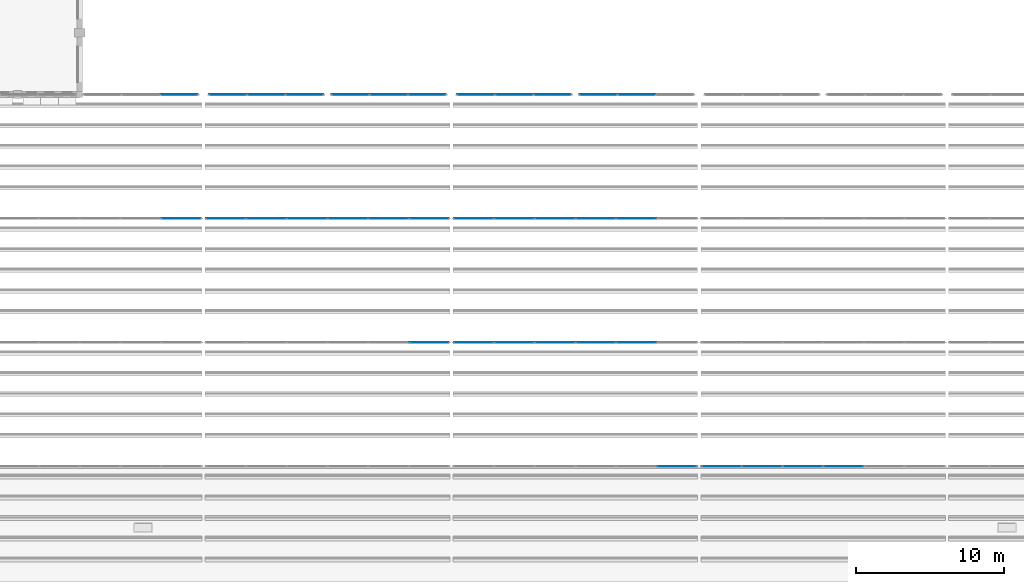
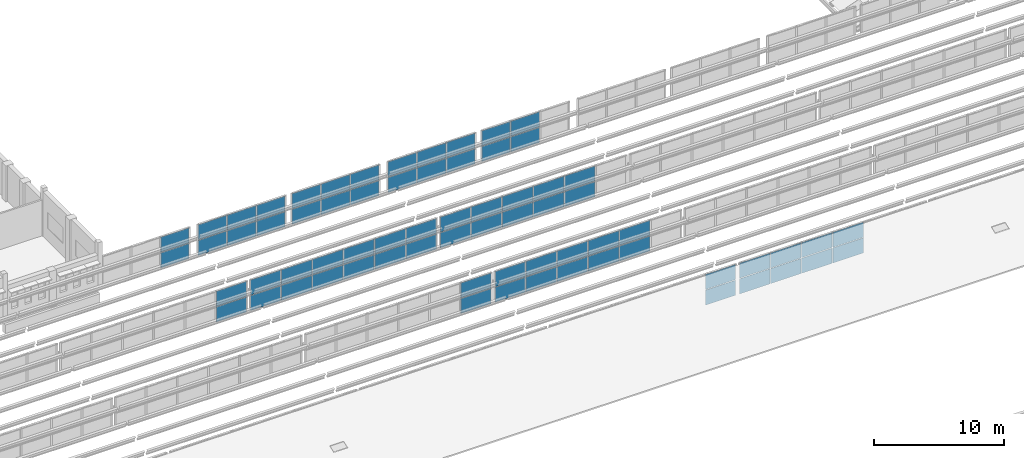
# One storey, part 82 of 116: 70 plates, 12 elements without a shape of their own.
"""IFC4 building model written with IfcOpenShell, lengths in metres."""

from ifc_helpers import new_model, si_unit, direction, frame, origin, origin_2d, place, context, subcontext, project, spatial, rectangle, extrude, material, layer, layer_set, type_object, element, aggregate, save


model = new_model("IFC4")

# Units and contexts
model_context = context("Model", 3, precision=1e-05, world=origin(), true_north=direction((0.0, 1.0)))
body_context = subcontext(model_context, "Body", "Model", "MODEL_VIEW")
ifc_project = project(units=[si_unit("LENGTHUNIT", "METRE"), si_unit("AREAUNIT", "SQUARE_METRE"), si_unit("VOLUMEUNIT", "CUBIC_METRE"), si_unit("PLANEANGLEUNIT", "RADIAN"), si_unit("MASSUNIT", "GRAM", prefix="KILO")], contexts=[model_context])

# Site, building, storey
site_placement = place(None, origin())
site = spatial("IfcSite", under=ifc_project, at=site_placement, CompositionType="ELEMENT")
building_placement = place(site_placement, origin())
building = spatial("IfcBuilding", under=site, at=building_placement, Name="Fescue Hill Polytechnic", CompositionType="ELEMENT")
storey_placement = place(building_placement, frame((0.0, 0.0, 13.5)))
storey = spatial("IfcBuildingStorey", under=building, at=storey_placement, Name="L03", CompositionType="ELEMENT", Elevation=13.5)

# Curtain wall, plates
ifc_material_1 = material(Name="Aluminium and glass", Category="aluminium")
curtain_wall_type = type_object("IfcCurtainWallType", Name="Sawtooth north glazing curtain wall", PredefinedType="NOTDEFINED", material=ifc_material_1)
curtain_wall_1_placement = place(storey_placement, origin())
curtain_wall_1 = element("IfcCurtainWall", 1, at=curtain_wall_1_placement, inside=storey, type_object=curtain_wall_type, Name="Sawtooth 1 north glazing bay 4", PredefinedType="NOTDEFINED")
ifc_material_2 = material(Name="Glass", Category="glass")
ifc_layer = layer(ifc_material_2, 0.028076171875)
ifc_layer_set = layer_set([ifc_layer], Name="Glass")
plate_type = type_object("IfcPlateType", Name="Curtain wall glazing panel 28", PredefinedType="CURTAIN_PANEL", material=ifc_layer_set)
plate_1_placement = place(storey_placement, frame((65.68505859375, 25.199951171875, 0.06005859375), z_axis=(0.0, 0.0, 1.0), x_axis=(1.0, 0.0, 0.0)))
plate_1 = element("IfcPlate", 2, at=plate_1_placement, type_object=plate_type, Name="CW4 panel 6.1", PredefinedType="CURTAIN_PANEL", context=body_context, shape_type="SweptSolid", body=[
    extrude(rectangle(XDim=2.669921875, YDim=0.028076171875, at=origin_2d()), origin(), (0.0, 0.0, 1.0), 1.409912109375),
])
plate_2_placement = place(storey_placement, frame((65.68505859375, 25.199951171875, 1.5302734375), z_axis=(0.0, 0.0, 1.0), x_axis=(1.0, 0.0, 0.0)))
plate_2 = element("IfcPlate", 3, at=plate_2_placement, type_object=plate_type, Name="CW4 panel 6.2", PredefinedType="CURTAIN_PANEL", context=body_context, shape_type="SweptSolid", body=[
    extrude(rectangle(XDim=2.669921875, YDim=0.028076171875, at=origin_2d()), origin(), (0.0, 0.0, 1.0), 1.409912109375),
])
aggregate(curtain_wall_1, [plate_1, plate_2])

curtain_wall_2_placement = place(storey_placement, origin())
curtain_wall_2 = element("IfcCurtainWall", 4, at=curtain_wall_2_placement, inside=storey, type_object=curtain_wall_type, Name="Sawtooth 1 north glazing bay 5", PredefinedType="NOTDEFINED")
plate_3_placement = place(storey_placement, frame((68.715087890625, 25.199951171875, 0.06005859375), z_axis=(0.0, 0.0, 1.0), x_axis=(1.0, 0.0, 0.0)))
plate_3 = element("IfcPlate", 5, at=plate_3_placement, type_object=plate_type, Name="CW5 panel 1.1", PredefinedType="CURTAIN_PANEL", context=body_context, shape_type="SweptSolid", body=[
    extrude(rectangle(XDim=2.669921875, YDim=0.028076171875, at=origin_2d()), origin(), (0.0, 0.0, 1.0), 1.409912109375),
])
plate_4_placement = place(storey_placement, frame((68.715087890625, 25.199951171875, 1.5302734375), z_axis=(0.0, 0.0, 1.0), x_axis=(1.0, 0.0, 0.0)))
plate_4 = element("IfcPlate", 6, at=plate_4_placement, type_object=plate_type, Name="CW5 panel 1.2", PredefinedType="CURTAIN_PANEL", context=body_context, shape_type="SweptSolid", body=[
    extrude(rectangle(XDim=2.669921875, YDim=0.028076171875, at=origin_2d()), origin(), (0.0, 0.0, 1.0), 1.409912109375),
])
plate_5_placement = place(storey_placement, frame((71.4599609375, 25.199951171875, 0.06005859375), z_axis=(0.0, 0.0, 1.0), x_axis=(1.0, 0.0, 0.0)))
plate_5 = element("IfcPlate", 7, at=plate_5_placement, type_object=plate_type, Name="CW5 panel 2.1", PredefinedType="CURTAIN_PANEL", context=body_context, shape_type="SweptSolid", body=[
    extrude(rectangle(XDim=2.699951171875, YDim=0.028076171875, at=origin_2d()), origin(), (0.0, 0.0, 1.0), 1.409912109375),
])
plate_6_placement = place(storey_placement, frame((71.4599609375, 25.199951171875, 1.5302734375), z_axis=(0.0, 0.0, 1.0), x_axis=(1.0, 0.0, 0.0)))
plate_6 = element("IfcPlate", 8, at=plate_6_placement, type_object=plate_type, Name="CW5 panel 2.2", PredefinedType="CURTAIN_PANEL", context=body_context, shape_type="SweptSolid", body=[
    extrude(rectangle(XDim=2.699951171875, YDim=0.028076171875, at=origin_2d()), origin(), (0.0, 0.0, 1.0), 1.409912109375),
])
plate_7_placement = place(storey_placement, frame((74.219970703125, 25.199951171875, 0.06005859375), z_axis=(0.0, 0.0, 1.0), x_axis=(1.0, 0.0, 0.0)))
plate_7 = element("IfcPlate", 9, at=plate_7_placement, type_object=plate_type, Name="CW5 panel 3.1", PredefinedType="CURTAIN_PANEL", context=body_context, shape_type="SweptSolid", body=[
    extrude(rectangle(XDim=2.699951171875, YDim=0.028076171875, at=origin_2d()), origin(), (0.0, 0.0, 1.0), 1.409912109375),
])
plate_8_placement = place(storey_placement, frame((74.219970703125, 25.199951171875, 1.5302734375), z_axis=(0.0, 0.0, 1.0), x_axis=(1.0, 0.0, 0.0)))
plate_8 = element("IfcPlate", 10, at=plate_8_placement, type_object=plate_type, Name="CW5 panel 3.2", PredefinedType="CURTAIN_PANEL", context=body_context, shape_type="SweptSolid", body=[
    extrude(rectangle(XDim=2.699951171875, YDim=0.028076171875, at=origin_2d()), origin(), (0.0, 0.0, 1.0), 1.409912109375),
])
plate_9_placement = place(storey_placement, frame((76.97998046875, 25.199951171875, 0.06005859375), z_axis=(0.0, 0.0, 1.0), x_axis=(1.0, 0.0, 0.0)))
plate_9 = element("IfcPlate", 11, at=plate_9_placement, type_object=plate_type, Name="CW5 panel 4.1", PredefinedType="CURTAIN_PANEL", context=body_context, shape_type="SweptSolid", body=[
    extrude(rectangle(XDim=2.699951171875, YDim=0.028076171875, at=origin_2d()), origin(), (0.0, 0.0, 1.0), 1.409912109375),
])
plate_10_placement = place(storey_placement, frame((76.97998046875, 25.199951171875, 1.5302734375), z_axis=(0.0, 0.0, 1.0), x_axis=(1.0, 0.0, 0.0)))
plate_10 = element("IfcPlate", 12, at=plate_10_placement, type_object=plate_type, Name="CW5 panel 4.2", PredefinedType="CURTAIN_PANEL", context=body_context, shape_type="SweptSolid", body=[
    extrude(rectangle(XDim=2.699951171875, YDim=0.028076171875, at=origin_2d()), origin(), (0.0, 0.0, 1.0), 1.409912109375),
])
aggregate(curtain_wall_2, [plate_3, plate_4, plate_5, plate_6, plate_7, plate_8, plate_9, plate_10])

curtain_wall_3_placement = place(storey_placement, origin())
curtain_wall_3 = element("IfcCurtainWall", 13, at=curtain_wall_3_placement, inside=storey, type_object=curtain_wall_type, Name="Sawtooth 2 north glazing bay 3", PredefinedType="NOTDEFINED")
plate_11_placement = place(storey_placement, frame((48.885009765625, 33.60009765625, 0.06005859375), z_axis=(0.0, 0.0, 1.0), x_axis=(1.0, 0.0, 0.0)))
plate_11 = element("IfcPlate", 14, at=plate_11_placement, type_object=plate_type, Name="CW10 panel 6.1", PredefinedType="CURTAIN_PANEL", context=body_context, shape_type="SweptSolid", body=[
    extrude(rectangle(XDim=2.669921875, YDim=0.028076171875, at=origin_2d()), origin(), (0.0, 0.0, 1.0), 1.409912109375),
])
plate_12_placement = place(storey_placement, frame((48.885009765625, 33.60009765625, 1.5302734375), z_axis=(0.0, 0.0, 1.0), x_axis=(1.0, 0.0, 0.0)))
plate_12 = element("IfcPlate", 15, at=plate_12_placement, type_object=plate_type, Name="CW10 panel 6.2", PredefinedType="CURTAIN_PANEL", context=body_context, shape_type="SweptSolid", body=[
    extrude(rectangle(XDim=2.669921875, YDim=0.028076171875, at=origin_2d()), origin(), (0.0, 0.0, 1.0), 1.409912109375),
])
aggregate(curtain_wall_3, [plate_11, plate_12])

curtain_wall_4_placement = place(storey_placement, origin())
curtain_wall_4 = element("IfcCurtainWall", 16, at=curtain_wall_4_placement, inside=storey, type_object=curtain_wall_type, Name="Sawtooth 2 north glazing bay 4", PredefinedType="NOTDEFINED")
plate_13_placement = place(storey_placement, frame((51.9150390625, 33.60009765625, 0.06005859375), z_axis=(0.0, 0.0, 1.0), x_axis=(1.0, 0.0, 0.0)))
plate_13 = element("IfcPlate", 17, at=plate_13_placement, type_object=plate_type, Name="CW11 panel 1.1", PredefinedType="CURTAIN_PANEL", context=body_context, shape_type="SweptSolid", body=[
    extrude(rectangle(XDim=2.669921875, YDim=0.028076171875, at=origin_2d()), origin(), (0.0, 0.0, 1.0), 1.409912109375),
])
plate_14_placement = place(storey_placement, frame((51.9150390625, 33.60009765625, 1.5302734375), z_axis=(0.0, 0.0, 1.0), x_axis=(1.0, 0.0, 0.0)))
plate_14 = element("IfcPlate", 18, at=plate_14_placement, type_object=plate_type, Name="CW11 panel 1.2", PredefinedType="CURTAIN_PANEL", context=body_context, shape_type="SweptSolid", body=[
    extrude(rectangle(XDim=2.669921875, YDim=0.028076171875, at=origin_2d()), origin(), (0.0, 0.0, 1.0), 1.409912109375),
])
plate_15_placement = place(storey_placement, frame((54.659912109375, 33.60009765625, 0.06005859375), z_axis=(0.0, 0.0, 1.0), x_axis=(1.0, 0.0, 0.0)))
plate_15 = element("IfcPlate", 19, at=plate_15_placement, type_object=plate_type, Name="CW11 panel 2.1", PredefinedType="CURTAIN_PANEL", context=body_context, shape_type="SweptSolid", body=[
    extrude(rectangle(XDim=2.699951171875, YDim=0.028076171875, at=origin_2d()), origin(), (0.0, 0.0, 1.0), 1.409912109375),
])
plate_16_placement = place(storey_placement, frame((54.659912109375, 33.60009765625, 1.5302734375), z_axis=(0.0, 0.0, 1.0), x_axis=(1.0, 0.0, 0.0)))
plate_16 = element("IfcPlate", 20, at=plate_16_placement, type_object=plate_type, Name="CW11 panel 2.2", PredefinedType="CURTAIN_PANEL", context=body_context, shape_type="SweptSolid", body=[
    extrude(rectangle(XDim=2.699951171875, YDim=0.028076171875, at=origin_2d()), origin(), (0.0, 0.0, 1.0), 1.409912109375),
])
plate_17_placement = place(storey_placement, frame((57.419921875, 33.60009765625, 0.06005859375), z_axis=(0.0, 0.0, 1.0), x_axis=(1.0, 0.0, 0.0)))
plate_17 = element("IfcPlate", 21, at=plate_17_placement, type_object=plate_type, Name="CW11 panel 3.1", PredefinedType="CURTAIN_PANEL", context=body_context, shape_type="SweptSolid", body=[
    extrude(rectangle(XDim=2.699951171875, YDim=0.028076171875, at=origin_2d()), origin(), (0.0, 0.0, 1.0), 1.409912109375),
])
plate_18_placement = place(storey_placement, frame((57.419921875, 33.60009765625, 1.5302734375), z_axis=(0.0, 0.0, 1.0), x_axis=(1.0, 0.0, 0.0)))
plate_18 = element("IfcPlate", 22, at=plate_18_placement, type_object=plate_type, Name="CW11 panel 3.2", PredefinedType="CURTAIN_PANEL", context=body_context, shape_type="SweptSolid", body=[
    extrude(rectangle(XDim=2.699951171875, YDim=0.028076171875, at=origin_2d()), origin(), (0.0, 0.0, 1.0), 1.409912109375),
])
plate_19_placement = place(storey_placement, frame((60.179931640625, 33.60009765625, 0.06005859375), z_axis=(0.0, 0.0, 1.0), x_axis=(1.0, 0.0, 0.0)))
plate_19 = element("IfcPlate", 23, at=plate_19_placement, type_object=plate_type, Name="CW11 panel 4.1", PredefinedType="CURTAIN_PANEL", context=body_context, shape_type="SweptSolid", body=[
    extrude(rectangle(XDim=2.699951171875, YDim=0.028076171875, at=origin_2d()), origin(), (0.0, 0.0, 1.0), 1.409912109375),
])
plate_20_placement = place(storey_placement, frame((60.179931640625, 33.60009765625, 1.5302734375), z_axis=(0.0, 0.0, 1.0), x_axis=(1.0, 0.0, 0.0)))
plate_20 = element("IfcPlate", 24, at=plate_20_placement, type_object=plate_type, Name="CW11 panel 4.2", PredefinedType="CURTAIN_PANEL", context=body_context, shape_type="SweptSolid", body=[
    extrude(rectangle(XDim=2.699951171875, YDim=0.028076171875, at=origin_2d()), origin(), (0.0, 0.0, 1.0), 1.409912109375),
])
plate_21_placement = place(storey_placement, frame((62.93994140625, 33.60009765625, 0.06005859375), z_axis=(0.0, 0.0, 1.0), x_axis=(1.0, 0.0, 0.0)))
plate_21 = element("IfcPlate", 25, at=plate_21_placement, type_object=plate_type, Name="CW11 panel 5.1", PredefinedType="CURTAIN_PANEL", context=body_context, shape_type="SweptSolid", body=[
    extrude(rectangle(XDim=2.699951171875, YDim=0.028076171875, at=origin_2d()), origin(), (0.0, 0.0, 1.0), 1.409912109375),
])
plate_22_placement = place(storey_placement, frame((62.93994140625, 33.60009765625, 1.5302734375), z_axis=(0.0, 0.0, 1.0), x_axis=(1.0, 0.0, 0.0)))
plate_22 = element("IfcPlate", 26, at=plate_22_placement, type_object=plate_type, Name="CW11 panel 5.2", PredefinedType="CURTAIN_PANEL", context=body_context, shape_type="SweptSolid", body=[
    extrude(rectangle(XDim=2.699951171875, YDim=0.028076171875, at=origin_2d()), origin(), (0.0, 0.0, 1.0), 1.409912109375),
])
aggregate(curtain_wall_4, [plate_13, plate_14, plate_15, plate_16, plate_17, plate_18, plate_19, plate_20, plate_21, plate_22])

curtain_wall_5_placement = place(storey_placement, origin())
curtain_wall_5 = element("IfcCurtainWall", 27, at=curtain_wall_5_placement, inside=storey, type_object=curtain_wall_type, Name="Sawtooth 3 north glazing bay 2", PredefinedType="NOTDEFINED")
plate_23_placement = place(storey_placement, frame((32.0849609375, 42.0, 0.06005859375), z_axis=(0.0, 0.0, 1.0), x_axis=(1.0, 0.0, 0.0)))
plate_23 = element("IfcPlate", 28, at=plate_23_placement, type_object=plate_type, Name="CW16 panel 6.1", PredefinedType="CURTAIN_PANEL", context=body_context, shape_type="SweptSolid", body=[
    extrude(rectangle(XDim=2.669921875, YDim=0.028076171875, at=origin_2d()), origin(), (0.0, 0.0, 1.0), 1.409912109375),
])
plate_24_placement = place(storey_placement, frame((32.0849609375, 42.0, 1.5302734375), z_axis=(0.0, 0.0, 1.0), x_axis=(1.0, 0.0, 0.0)))
plate_24 = element("IfcPlate", 29, at=plate_24_placement, type_object=plate_type, Name="CW16 panel 6.2", PredefinedType="CURTAIN_PANEL", context=body_context, shape_type="SweptSolid", body=[
    extrude(rectangle(XDim=2.669921875, YDim=0.028076171875, at=origin_2d()), origin(), (0.0, 0.0, 1.0), 1.409912109375),
])
aggregate(curtain_wall_5, [plate_23, plate_24])

curtain_wall_6_placement = place(storey_placement, origin())
curtain_wall_6 = element("IfcCurtainWall", 30, at=curtain_wall_6_placement, inside=storey, type_object=curtain_wall_type, Name="Sawtooth 3 north glazing bay 3", PredefinedType="NOTDEFINED")
plate_25_placement = place(storey_placement, frame((35.114990234375, 42.0, 0.06005859375), z_axis=(0.0, 0.0, 1.0), x_axis=(1.0, 0.0, 0.0)))
plate_25 = element("IfcPlate", 31, at=plate_25_placement, type_object=plate_type, Name="CW17 panel 1.1", PredefinedType="CURTAIN_PANEL", context=body_context, shape_type="SweptSolid", body=[
    extrude(rectangle(XDim=2.669921875, YDim=0.028076171875, at=origin_2d()), origin(), (0.0, 0.0, 1.0), 1.409912109375),
])
plate_26_placement = place(storey_placement, frame((35.114990234375, 42.0, 1.5302734375), z_axis=(0.0, 0.0, 1.0), x_axis=(1.0, 0.0, 0.0)))
plate_26 = element("IfcPlate", 32, at=plate_26_placement, type_object=plate_type, Name="CW17 panel 1.2", PredefinedType="CURTAIN_PANEL", context=body_context, shape_type="SweptSolid", body=[
    extrude(rectangle(XDim=2.669921875, YDim=0.028076171875, at=origin_2d()), origin(), (0.0, 0.0, 1.0), 1.409912109375),
])
plate_27_placement = place(storey_placement, frame((37.860107421875, 42.0, 0.06005859375), z_axis=(0.0, 0.0, 1.0), x_axis=(1.0, 0.0, 0.0)))
plate_27 = element("IfcPlate", 33, at=plate_27_placement, type_object=plate_type, Name="CW17 panel 2.1", PredefinedType="CURTAIN_PANEL", context=body_context, shape_type="SweptSolid", body=[
    extrude(rectangle(XDim=2.699951171875, YDim=0.028076171875, at=origin_2d()), origin(), (0.0, 0.0, 1.0), 1.409912109375),
])
plate_28_placement = place(storey_placement, frame((37.860107421875, 42.0, 1.5302734375), z_axis=(0.0, 0.0, 1.0), x_axis=(1.0, 0.0, 0.0)))
plate_28 = element("IfcPlate", 34, at=plate_28_placement, type_object=plate_type, Name="CW17 panel 2.2", PredefinedType="CURTAIN_PANEL", context=body_context, shape_type="SweptSolid", body=[
    extrude(rectangle(XDim=2.699951171875, YDim=0.028076171875, at=origin_2d()), origin(), (0.0, 0.0, 1.0), 1.409912109375),
])
plate_29_placement = place(storey_placement, frame((40.6201171875, 42.0, 0.06005859375), z_axis=(0.0, 0.0, 1.0), x_axis=(1.0, 0.0, 0.0)))
plate_29 = element("IfcPlate", 35, at=plate_29_placement, type_object=plate_type, Name="CW17 panel 3.1", PredefinedType="CURTAIN_PANEL", context=body_context, shape_type="SweptSolid", body=[
    extrude(rectangle(XDim=2.699951171875, YDim=0.028076171875, at=origin_2d()), origin(), (0.0, 0.0, 1.0), 1.409912109375),
])
plate_30_placement = place(storey_placement, frame((40.6201171875, 42.0, 1.5302734375), z_axis=(0.0, 0.0, 1.0), x_axis=(1.0, 0.0, 0.0)))
plate_30 = element("IfcPlate", 36, at=plate_30_placement, type_object=plate_type, Name="CW17 panel 3.2", PredefinedType="CURTAIN_PANEL", context=body_context, shape_type="SweptSolid", body=[
    extrude(rectangle(XDim=2.699951171875, YDim=0.028076171875, at=origin_2d()), origin(), (0.0, 0.0, 1.0), 1.409912109375),
])
plate_31_placement = place(storey_placement, frame((43.3798828125, 42.0, 0.06005859375), z_axis=(0.0, 0.0, 1.0), x_axis=(1.0, 0.0, 0.0)))
plate_31 = element("IfcPlate", 37, at=plate_31_placement, type_object=plate_type, Name="CW17 panel 4.1", PredefinedType="CURTAIN_PANEL", context=body_context, shape_type="SweptSolid", body=[
    extrude(rectangle(XDim=2.699951171875, YDim=0.028076171875, at=origin_2d()), origin(), (0.0, 0.0, 1.0), 1.409912109375),
])
plate_32_placement = place(storey_placement, frame((43.3798828125, 42.0, 1.5302734375), z_axis=(0.0, 0.0, 1.0), x_axis=(1.0, 0.0, 0.0)))
plate_32 = element("IfcPlate", 38, at=plate_32_placement, type_object=plate_type, Name="CW17 panel 4.2", PredefinedType="CURTAIN_PANEL", context=body_context, shape_type="SweptSolid", body=[
    extrude(rectangle(XDim=2.699951171875, YDim=0.028076171875, at=origin_2d()), origin(), (0.0, 0.0, 1.0), 1.409912109375),
])
plate_33_placement = place(storey_placement, frame((46.139892578125, 42.0, 0.06005859375), z_axis=(0.0, 0.0, 1.0), x_axis=(1.0, 0.0, 0.0)))
plate_33 = element("IfcPlate", 39, at=plate_33_placement, type_object=plate_type, Name="CW17 panel 5.1", PredefinedType="CURTAIN_PANEL", context=body_context, shape_type="SweptSolid", body=[
    extrude(rectangle(XDim=2.699951171875, YDim=0.028076171875, at=origin_2d()), origin(), (0.0, 0.0, 1.0), 1.409912109375),
])
plate_34_placement = place(storey_placement, frame((46.139892578125, 42.0, 1.5302734375), z_axis=(0.0, 0.0, 1.0), x_axis=(1.0, 0.0, 0.0)))
plate_34 = element("IfcPlate", 40, at=plate_34_placement, type_object=plate_type, Name="CW17 panel 5.2", PredefinedType="CURTAIN_PANEL", context=body_context, shape_type="SweptSolid", body=[
    extrude(rectangle(XDim=2.699951171875, YDim=0.028076171875, at=origin_2d()), origin(), (0.0, 0.0, 1.0), 1.409912109375),
])
plate_35_placement = place(storey_placement, frame((48.885009765625, 42.0, 0.06005859375), z_axis=(0.0, 0.0, 1.0), x_axis=(1.0, 0.0, 0.0)))
plate_35 = element("IfcPlate", 41, at=plate_35_placement, type_object=plate_type, Name="CW17 panel 6.1", PredefinedType="CURTAIN_PANEL", context=body_context, shape_type="SweptSolid", body=[
    extrude(rectangle(XDim=2.669921875, YDim=0.028076171875, at=origin_2d()), origin(), (0.0, 0.0, 1.0), 1.409912109375),
])
plate_36_placement = place(storey_placement, frame((48.885009765625, 42.0, 1.5302734375), z_axis=(0.0, 0.0, 1.0), x_axis=(1.0, 0.0, 0.0)))
plate_36 = element("IfcPlate", 42, at=plate_36_placement, type_object=plate_type, Name="CW17 panel 6.2", PredefinedType="CURTAIN_PANEL", context=body_context, shape_type="SweptSolid", body=[
    extrude(rectangle(XDim=2.669921875, YDim=0.028076171875, at=origin_2d()), origin(), (0.0, 0.0, 1.0), 1.409912109375),
])
aggregate(curtain_wall_6, [plate_25, plate_26, plate_27, plate_28, plate_29, plate_30, plate_31, plate_32, plate_33, plate_34, plate_35, plate_36])

curtain_wall_7_placement = place(storey_placement, origin())
curtain_wall_7 = element("IfcCurtainWall", 43, at=curtain_wall_7_placement, inside=storey, type_object=curtain_wall_type, Name="Sawtooth 3 north glazing bay 4", PredefinedType="NOTDEFINED")
plate_37_placement = place(storey_placement, frame((51.9150390625, 42.0, 0.06005859375), z_axis=(0.0, 0.0, 1.0), x_axis=(1.0, 0.0, 0.0)))
plate_37 = element("IfcPlate", 44, at=plate_37_placement, type_object=plate_type, Name="CW18 panel 1.1", PredefinedType="CURTAIN_PANEL", context=body_context, shape_type="SweptSolid", body=[
    extrude(rectangle(XDim=2.669921875, YDim=0.028076171875, at=origin_2d()), origin(), (0.0, 0.0, 1.0), 1.409912109375),
])
plate_38_placement = place(storey_placement, frame((51.9150390625, 42.0, 1.5302734375), z_axis=(0.0, 0.0, 1.0), x_axis=(1.0, 0.0, 0.0)))
plate_38 = element("IfcPlate", 45, at=plate_38_placement, type_object=plate_type, Name="CW18 panel 1.2", PredefinedType="CURTAIN_PANEL", context=body_context, shape_type="SweptSolid", body=[
    extrude(rectangle(XDim=2.669921875, YDim=0.028076171875, at=origin_2d()), origin(), (0.0, 0.0, 1.0), 1.409912109375),
])
plate_39_placement = place(storey_placement, frame((54.659912109375, 42.0, 0.06005859375), z_axis=(0.0, 0.0, 1.0), x_axis=(1.0, 0.0, 0.0)))
plate_39 = element("IfcPlate", 46, at=plate_39_placement, type_object=plate_type, Name="CW18 panel 2.1", PredefinedType="CURTAIN_PANEL", context=body_context, shape_type="SweptSolid", body=[
    extrude(rectangle(XDim=2.699951171875, YDim=0.028076171875, at=origin_2d()), origin(), (0.0, 0.0, 1.0), 1.409912109375),
])
plate_40_placement = place(storey_placement, frame((54.659912109375, 42.0, 1.5302734375), z_axis=(0.0, 0.0, 1.0), x_axis=(1.0, 0.0, 0.0)))
plate_40 = element("IfcPlate", 47, at=plate_40_placement, type_object=plate_type, Name="CW18 panel 2.2", PredefinedType="CURTAIN_PANEL", context=body_context, shape_type="SweptSolid", body=[
    extrude(rectangle(XDim=2.699951171875, YDim=0.028076171875, at=origin_2d()), origin(), (0.0, 0.0, 1.0), 1.409912109375),
])
plate_41_placement = place(storey_placement, frame((57.419921875, 42.0, 0.06005859375), z_axis=(0.0, 0.0, 1.0), x_axis=(1.0, 0.0, 0.0)))
plate_41 = element("IfcPlate", 48, at=plate_41_placement, type_object=plate_type, Name="CW18 panel 3.1", PredefinedType="CURTAIN_PANEL", context=body_context, shape_type="SweptSolid", body=[
    extrude(rectangle(XDim=2.699951171875, YDim=0.028076171875, at=origin_2d()), origin(), (0.0, 0.0, 1.0), 1.409912109375),
])
plate_42_placement = place(storey_placement, frame((57.419921875, 42.0, 1.5302734375), z_axis=(0.0, 0.0, 1.0), x_axis=(1.0, 0.0, 0.0)))
plate_42 = element("IfcPlate", 49, at=plate_42_placement, type_object=plate_type, Name="CW18 panel 3.2", PredefinedType="CURTAIN_PANEL", context=body_context, shape_type="SweptSolid", body=[
    extrude(rectangle(XDim=2.699951171875, YDim=0.028076171875, at=origin_2d()), origin(), (0.0, 0.0, 1.0), 1.409912109375),
])
plate_43_placement = place(storey_placement, frame((60.179931640625, 42.0, 0.06005859375), z_axis=(0.0, 0.0, 1.0), x_axis=(1.0, 0.0, 0.0)))
plate_43 = element("IfcPlate", 50, at=plate_43_placement, type_object=plate_type, Name="CW18 panel 4.1", PredefinedType="CURTAIN_PANEL", context=body_context, shape_type="SweptSolid", body=[
    extrude(rectangle(XDim=2.699951171875, YDim=0.028076171875, at=origin_2d()), origin(), (0.0, 0.0, 1.0), 1.409912109375),
])
plate_44_placement = place(storey_placement, frame((60.179931640625, 42.0, 1.5302734375), z_axis=(0.0, 0.0, 1.0), x_axis=(1.0, 0.0, 0.0)))
plate_44 = element("IfcPlate", 51, at=plate_44_placement, type_object=plate_type, Name="CW18 panel 4.2", PredefinedType="CURTAIN_PANEL", context=body_context, shape_type="SweptSolid", body=[
    extrude(rectangle(XDim=2.699951171875, YDim=0.028076171875, at=origin_2d()), origin(), (0.0, 0.0, 1.0), 1.409912109375),
])
plate_45_placement = place(storey_placement, frame((62.93994140625, 42.0, 0.06005859375), z_axis=(0.0, 0.0, 1.0), x_axis=(1.0, 0.0, 0.0)))
plate_45 = element("IfcPlate", 52, at=plate_45_placement, type_object=plate_type, Name="CW18 panel 5.1", PredefinedType="CURTAIN_PANEL", context=body_context, shape_type="SweptSolid", body=[
    extrude(rectangle(XDim=2.699951171875, YDim=0.028076171875, at=origin_2d()), origin(), (0.0, 0.0, 1.0), 1.409912109375),
])
plate_46_placement = place(storey_placement, frame((62.93994140625, 42.0, 1.5302734375), z_axis=(0.0, 0.0, 1.0), x_axis=(1.0, 0.0, 0.0)))
plate_46 = element("IfcPlate", 53, at=plate_46_placement, type_object=plate_type, Name="CW18 panel 5.2", PredefinedType="CURTAIN_PANEL", context=body_context, shape_type="SweptSolid", body=[
    extrude(rectangle(XDim=2.699951171875, YDim=0.028076171875, at=origin_2d()), origin(), (0.0, 0.0, 1.0), 1.409912109375),
])
aggregate(curtain_wall_7, [plate_37, plate_38, plate_39, plate_40, plate_41, plate_42, plate_43, plate_44, plate_45, plate_46])

curtain_wall_8_placement = place(storey_placement, origin())
curtain_wall_8 = element("IfcCurtainWall", 54, at=curtain_wall_8_placement, inside=storey, type_object=curtain_wall_type, Name="Sawtooth 4 north glazing bay 2 part 2", PredefinedType="NOTDEFINED")
plate_47_placement = place(storey_placement, frame((31.941650390625, 50.39990234375, 0.06005859375), z_axis=(0.0, 0.0, 1.0), x_axis=(1.0, 0.0, 0.0)))
plate_47 = element("IfcPlate", 55, at=plate_47_placement, type_object=plate_type, Name="CW25 panel 3.1", PredefinedType="CURTAIN_PANEL", context=body_context, shape_type="SweptSolid", body=[
    extrude(rectangle(XDim=2.5166015625, YDim=0.028076171875, at=origin_2d()), origin(), (0.0, 0.0, 1.0), 1.409912109375),
])
plate_48_placement = place(storey_placement, frame((31.941650390625, 50.39990234375, 1.5302734375), z_axis=(0.0, 0.0, 1.0), x_axis=(1.0, 0.0, 0.0)))
plate_48 = element("IfcPlate", 56, at=plate_48_placement, type_object=plate_type, Name="CW25 panel 3.2", PredefinedType="CURTAIN_PANEL", context=body_context, shape_type="SweptSolid", body=[
    extrude(rectangle(XDim=2.5166015625, YDim=0.028076171875, at=origin_2d()), origin(), (0.0, 0.0, 1.0), 1.409912109375),
])
aggregate(curtain_wall_8, [plate_47, plate_48])

curtain_wall_9_placement = place(storey_placement, origin())
curtain_wall_9 = element("IfcCurtainWall", 57, at=curtain_wall_9_placement, inside=storey, type_object=curtain_wall_type, Name="Sawtooth 4 north glazing bay 3 part 1", PredefinedType="NOTDEFINED")
plate_49_placement = place(storey_placement, frame((35.25830078125, 50.39990234375, 0.06005859375), z_axis=(0.0, 0.0, 1.0), x_axis=(1.0, 0.0, 0.0)))
plate_49 = element("IfcPlate", 58, at=plate_49_placement, type_object=plate_type, Name="CW26 panel 1.1", PredefinedType="CURTAIN_PANEL", context=body_context, shape_type="SweptSolid", body=[
    extrude(rectangle(XDim=2.5166015625, YDim=0.028076171875, at=origin_2d()), origin(), (0.0, 0.0, 1.0), 1.409912109375),
])
plate_50_placement = place(storey_placement, frame((35.25830078125, 50.39990234375, 1.5302734375), z_axis=(0.0, 0.0, 1.0), x_axis=(1.0, 0.0, 0.0)))
plate_50 = element("IfcPlate", 59, at=plate_50_placement, type_object=plate_type, Name="CW26 panel 1.2", PredefinedType="CURTAIN_PANEL", context=body_context, shape_type="SweptSolid", body=[
    extrude(rectangle(XDim=2.5166015625, YDim=0.028076171875, at=origin_2d()), origin(), (0.0, 0.0, 1.0), 1.409912109375),
])
plate_51_placement = place(storey_placement, frame((37.85009765625, 50.39990234375, 0.06005859375), z_axis=(0.0, 0.0, 1.0), x_axis=(1.0, 0.0, 0.0)))
plate_51 = element("IfcPlate", 60, at=plate_51_placement, type_object=plate_type, Name="CW26 panel 2.1", PredefinedType="CURTAIN_PANEL", context=body_context, shape_type="SweptSolid", body=[
    extrude(rectangle(XDim=2.546630859375, YDim=0.028076171875, at=origin_2d()), origin(), (0.0, 0.0, 1.0), 1.409912109375),
])
plate_52_placement = place(storey_placement, frame((37.85009765625, 50.39990234375, 1.5302734375), z_axis=(0.0, 0.0, 1.0), x_axis=(1.0, 0.0, 0.0)))
plate_52 = element("IfcPlate", 61, at=plate_52_placement, type_object=plate_type, Name="CW26 panel 2.2", PredefinedType="CURTAIN_PANEL", context=body_context, shape_type="SweptSolid", body=[
    extrude(rectangle(XDim=2.546630859375, YDim=0.028076171875, at=origin_2d()), origin(), (0.0, 0.0, 1.0), 1.409912109375),
])
plate_53_placement = place(storey_placement, frame((40.441650390625, 50.39990234375, 0.06005859375), z_axis=(0.0, 0.0, 1.0), x_axis=(1.0, 0.0, 0.0)))
plate_53 = element("IfcPlate", 62, at=plate_53_placement, type_object=plate_type, Name="CW26 panel 3.1", PredefinedType="CURTAIN_PANEL", context=body_context, shape_type="SweptSolid", body=[
    extrude(rectangle(XDim=2.5166015625, YDim=0.028076171875, at=origin_2d()), origin(), (0.0, 0.0, 1.0), 1.409912109375),
])
plate_54_placement = place(storey_placement, frame((40.441650390625, 50.39990234375, 1.5302734375), z_axis=(0.0, 0.0, 1.0), x_axis=(1.0, 0.0, 0.0)))
plate_54 = element("IfcPlate", 63, at=plate_54_placement, type_object=plate_type, Name="CW26 panel 3.2", PredefinedType="CURTAIN_PANEL", context=body_context, shape_type="SweptSolid", body=[
    extrude(rectangle(XDim=2.5166015625, YDim=0.028076171875, at=origin_2d()), origin(), (0.0, 0.0, 1.0), 1.409912109375),
])
aggregate(curtain_wall_9, [plate_49, plate_50, plate_51, plate_52, plate_53, plate_54])

curtain_wall_10_placement = place(storey_placement, origin())
curtain_wall_10 = element("IfcCurtainWall", 64, at=curtain_wall_10_placement, inside=storey, type_object=curtain_wall_type, Name="Sawtooth 4 north glazing bay 3 part 2", PredefinedType="NOTDEFINED")
plate_55_placement = place(storey_placement, frame((43.558349609375, 50.39990234375, 0.06005859375), z_axis=(0.0, 0.0, 1.0), x_axis=(1.0, 0.0, 0.0)))
plate_55 = element("IfcPlate", 65, at=plate_55_placement, type_object=plate_type, Name="CW27 panel 1.1", PredefinedType="CURTAIN_PANEL", context=body_context, shape_type="SweptSolid", body=[
    extrude(rectangle(XDim=2.5166015625, YDim=0.028076171875, at=origin_2d()), origin(), (0.0, 0.0, 1.0), 1.409912109375),
])
plate_56_placement = place(storey_placement, frame((43.558349609375, 50.39990234375, 1.5302734375), z_axis=(0.0, 0.0, 1.0), x_axis=(1.0, 0.0, 0.0)))
plate_56 = element("IfcPlate", 66, at=plate_56_placement, type_object=plate_type, Name="CW27 panel 1.2", PredefinedType="CURTAIN_PANEL", context=body_context, shape_type="SweptSolid", body=[
    extrude(rectangle(XDim=2.5166015625, YDim=0.028076171875, at=origin_2d()), origin(), (0.0, 0.0, 1.0), 1.409912109375),
])
plate_57_placement = place(storey_placement, frame((46.14990234375, 50.39990234375, 0.06005859375), z_axis=(0.0, 0.0, 1.0), x_axis=(1.0, 0.0, 0.0)))
plate_57 = element("IfcPlate", 67, at=plate_57_placement, type_object=plate_type, Name="CW27 panel 2.1", PredefinedType="CURTAIN_PANEL", context=body_context, shape_type="SweptSolid", body=[
    extrude(rectangle(XDim=2.546630859375, YDim=0.028076171875, at=origin_2d()), origin(), (0.0, 0.0, 1.0), 1.409912109375),
])
plate_58_placement = place(storey_placement, frame((46.14990234375, 50.39990234375, 1.5302734375), z_axis=(0.0, 0.0, 1.0), x_axis=(1.0, 0.0, 0.0)))
plate_58 = element("IfcPlate", 68, at=plate_58_placement, type_object=plate_type, Name="CW27 panel 2.2", PredefinedType="CURTAIN_PANEL", context=body_context, shape_type="SweptSolid", body=[
    extrude(rectangle(XDim=2.546630859375, YDim=0.028076171875, at=origin_2d()), origin(), (0.0, 0.0, 1.0), 1.409912109375),
])
plate_59_placement = place(storey_placement, frame((48.74169921875, 50.39990234375, 0.06005859375), z_axis=(0.0, 0.0, 1.0), x_axis=(1.0, 0.0, 0.0)))
plate_59 = element("IfcPlate", 69, at=plate_59_placement, type_object=plate_type, Name="CW27 panel 3.1", PredefinedType="CURTAIN_PANEL", context=body_context, shape_type="SweptSolid", body=[
    extrude(rectangle(XDim=2.5166015625, YDim=0.028076171875, at=origin_2d()), origin(), (0.0, 0.0, 1.0), 1.409912109375),
])
plate_60_placement = place(storey_placement, frame((48.74169921875, 50.39990234375, 1.5302734375), z_axis=(0.0, 0.0, 1.0), x_axis=(1.0, 0.0, 0.0)))
plate_60 = element("IfcPlate", 70, at=plate_60_placement, type_object=plate_type, Name="CW27 panel 3.2", PredefinedType="CURTAIN_PANEL", context=body_context, shape_type="SweptSolid", body=[
    extrude(rectangle(XDim=2.5166015625, YDim=0.028076171875, at=origin_2d()), origin(), (0.0, 0.0, 1.0), 1.409912109375),
])
aggregate(curtain_wall_10, [plate_55, plate_56, plate_57, plate_58, plate_59, plate_60])

curtain_wall_11_placement = place(storey_placement, origin())
curtain_wall_11 = element("IfcCurtainWall", 71, at=curtain_wall_11_placement, inside=storey, type_object=curtain_wall_type, Name="Sawtooth 4 north glazing bay 4 part 1", PredefinedType="NOTDEFINED")
plate_61_placement = place(storey_placement, frame((52.058349609375, 50.39990234375, 0.06005859375), z_axis=(0.0, 0.0, 1.0), x_axis=(1.0, 0.0, 0.0)))
plate_61 = element("IfcPlate", 72, at=plate_61_placement, type_object=plate_type, Name="CW28 panel 1.1", PredefinedType="CURTAIN_PANEL", context=body_context, shape_type="SweptSolid", body=[
    extrude(rectangle(XDim=2.5166015625, YDim=0.028076171875, at=origin_2d()), origin(), (0.0, 0.0, 1.0), 1.409912109375),
])
plate_62_placement = place(storey_placement, frame((52.058349609375, 50.39990234375, 1.5302734375), z_axis=(0.0, 0.0, 1.0), x_axis=(1.0, 0.0, 0.0)))
plate_62 = element("IfcPlate", 73, at=plate_62_placement, type_object=plate_type, Name="CW28 panel 1.2", PredefinedType="CURTAIN_PANEL", context=body_context, shape_type="SweptSolid", body=[
    extrude(rectangle(XDim=2.5166015625, YDim=0.028076171875, at=origin_2d()), origin(), (0.0, 0.0, 1.0), 1.409912109375),
])
plate_63_placement = place(storey_placement, frame((54.64990234375, 50.39990234375, 0.06005859375), z_axis=(0.0, 0.0, 1.0), x_axis=(1.0, 0.0, 0.0)))
plate_63 = element("IfcPlate", 74, at=plate_63_placement, type_object=plate_type, Name="CW28 panel 2.1", PredefinedType="CURTAIN_PANEL", context=body_context, shape_type="SweptSolid", body=[
    extrude(rectangle(XDim=2.546630859375, YDim=0.028076171875, at=origin_2d()), origin(), (0.0, 0.0, 1.0), 1.409912109375),
])
plate_64_placement = place(storey_placement, frame((54.64990234375, 50.39990234375, 1.5302734375), z_axis=(0.0, 0.0, 1.0), x_axis=(1.0, 0.0, 0.0)))
plate_64 = element("IfcPlate", 75, at=plate_64_placement, type_object=plate_type, Name="CW28 panel 2.2", PredefinedType="CURTAIN_PANEL", context=body_context, shape_type="SweptSolid", body=[
    extrude(rectangle(XDim=2.546630859375, YDim=0.028076171875, at=origin_2d()), origin(), (0.0, 0.0, 1.0), 1.409912109375),
])
plate_65_placement = place(storey_placement, frame((57.24169921875, 50.39990234375, 0.06005859375), z_axis=(0.0, 0.0, 1.0), x_axis=(1.0, 0.0, 0.0)))
plate_65 = element("IfcPlate", 76, at=plate_65_placement, type_object=plate_type, Name="CW28 panel 3.1", PredefinedType="CURTAIN_PANEL", context=body_context, shape_type="SweptSolid", body=[
    extrude(rectangle(XDim=2.5166015625, YDim=0.028076171875, at=origin_2d()), origin(), (0.0, 0.0, 1.0), 1.409912109375),
])
plate_66_placement = place(storey_placement, frame((57.24169921875, 50.39990234375, 1.5302734375), z_axis=(0.0, 0.0, 1.0), x_axis=(1.0, 0.0, 0.0)))
plate_66 = element("IfcPlate", 77, at=plate_66_placement, type_object=plate_type, Name="CW28 panel 3.2", PredefinedType="CURTAIN_PANEL", context=body_context, shape_type="SweptSolid", body=[
    extrude(rectangle(XDim=2.5166015625, YDim=0.028076171875, at=origin_2d()), origin(), (0.0, 0.0, 1.0), 1.409912109375),
])
aggregate(curtain_wall_11, [plate_61, plate_62, plate_63, plate_64, plate_65, plate_66])

curtain_wall_12_placement = place(storey_placement, origin())
curtain_wall_12 = element("IfcCurtainWall", 78, at=curtain_wall_12_placement, inside=storey, type_object=curtain_wall_type, Name="Sawtooth 4 north glazing bay 4 part 2", PredefinedType="NOTDEFINED")
plate_67_placement = place(storey_placement, frame((60.3583984375, 50.39990234375, 0.06005859375), z_axis=(0.0, 0.0, 1.0), x_axis=(1.0, 0.0, 0.0)))
plate_67 = element("IfcPlate", 79, at=plate_67_placement, type_object=plate_type, Name="CW29 panel 1.1", PredefinedType="CURTAIN_PANEL", context=body_context, shape_type="SweptSolid", body=[
    extrude(rectangle(XDim=2.5166015625, YDim=0.028076171875, at=origin_2d()), origin(), (0.0, 0.0, 1.0), 1.409912109375),
])
plate_68_placement = place(storey_placement, frame((60.3583984375, 50.39990234375, 1.5302734375), z_axis=(0.0, 0.0, 1.0), x_axis=(1.0, 0.0, 0.0)))
plate_68 = element("IfcPlate", 80, at=plate_68_placement, type_object=plate_type, Name="CW29 panel 1.2", PredefinedType="CURTAIN_PANEL", context=body_context, shape_type="SweptSolid", body=[
    extrude(rectangle(XDim=2.5166015625, YDim=0.028076171875, at=origin_2d()), origin(), (0.0, 0.0, 1.0), 1.409912109375),
])
plate_69_placement = place(storey_placement, frame((62.949951171875, 50.39990234375, 0.06005859375), z_axis=(0.0, 0.0, 1.0), x_axis=(1.0, 0.0, 0.0)))
plate_69 = element("IfcPlate", 81, at=plate_69_placement, type_object=plate_type, Name="CW29 panel 2.1", PredefinedType="CURTAIN_PANEL", context=body_context, shape_type="SweptSolid", body=[
    extrude(rectangle(XDim=2.546630859375, YDim=0.028076171875, at=origin_2d()), origin(), (0.0, 0.0, 1.0), 1.409912109375),
])
plate_70_placement = place(storey_placement, frame((62.949951171875, 50.39990234375, 1.5302734375), z_axis=(0.0, 0.0, 1.0), x_axis=(1.0, 0.0, 0.0)))
plate_70 = element("IfcPlate", 82, at=plate_70_placement, type_object=plate_type, Name="CW29 panel 2.2", PredefinedType="CURTAIN_PANEL", context=body_context, shape_type="SweptSolid", body=[
    extrude(rectangle(XDim=2.546630859375, YDim=0.028076171875, at=origin_2d()), origin(), (0.0, 0.0, 1.0), 1.409912109375),
])
aggregate(curtain_wall_12, [plate_67, plate_68, plate_69, plate_70])

save(model, "model.ifc")
